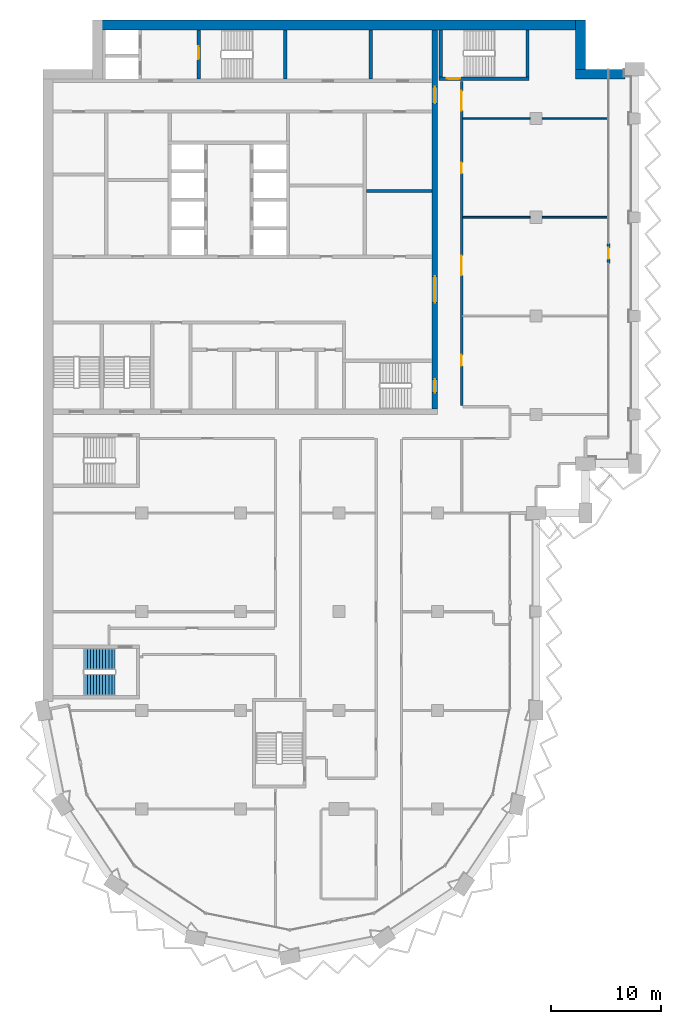
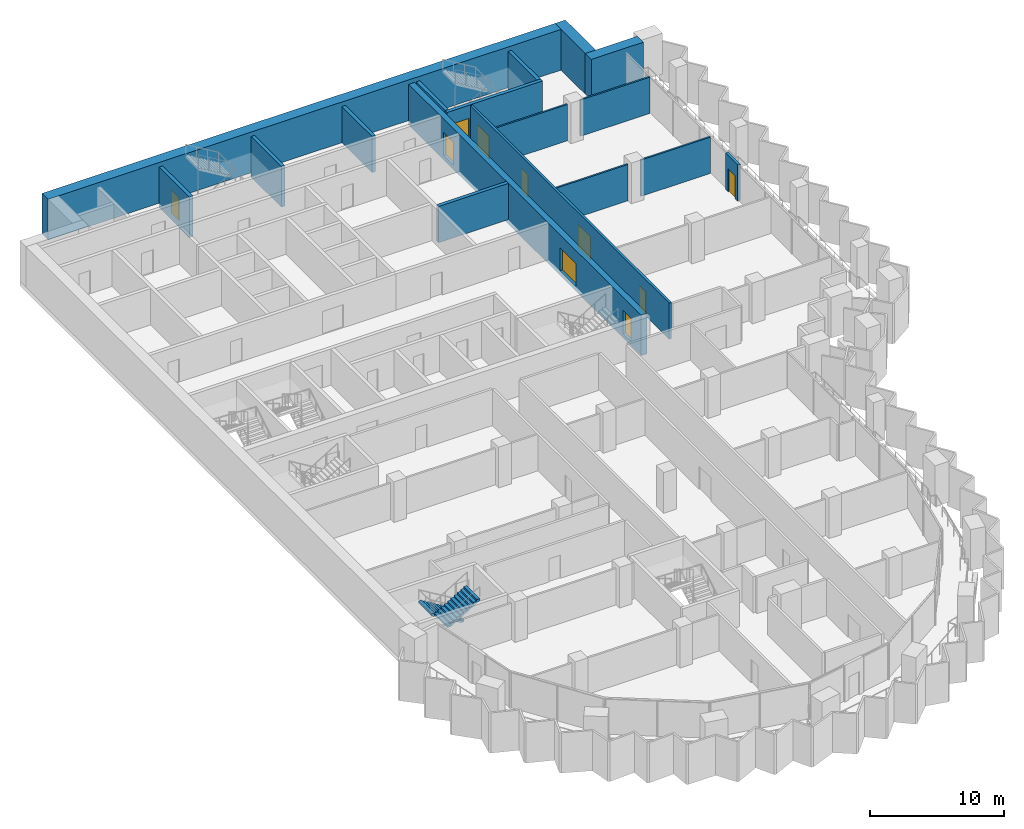
# One storey, part 11 of 17: 17 walls, 10 doors, 2 stair flights, 10 openings, 1 element without a shape of its own.
"""IFC4 building model written with IfcOpenShell, lengths in metres."""

from ifc_helpers import new_model, si_unit, direction, frame, frame_2d, origin, place, context, subcontext, project, spatial, polyline, rectangle, outline, extrude, material, layer, layer_set, type_object, element, fill, aggregate, save


model = new_model("IFC4")

# Units and contexts
model_context = context("Model", 3, precision=1e-05, world=origin(), true_north=direction((0.0, 1.0)))
body_context = subcontext(model_context, "Body", "Model", "MODEL_VIEW")
ifc_project = project(units=[si_unit("LENGTHUNIT", "METRE"), si_unit("AREAUNIT", "SQUARE_METRE"), si_unit("VOLUMEUNIT", "CUBIC_METRE"), si_unit("PLANEANGLEUNIT", "RADIAN"), si_unit("MASSUNIT", "GRAM", prefix="KILO")], contexts=[model_context])

# Site, building, storey
site_placement = place(None, origin())
site = spatial("IfcSite", under=ifc_project, at=site_placement, CompositionType="ELEMENT")
building_placement = place(site_placement, origin())
building = spatial("IfcBuilding", under=site, at=building_placement, Name="Hunhe Ridgeline Campus", CompositionType="ELEMENT")
storey_placement = place(building_placement, frame((0.0, 0.0, 208.699951171875)))
storey = spatial("IfcBuildingStorey", under=building, at=storey_placement, Name="L53", CompositionType="ELEMENT", Elevation=208.699951171875)

# Walls
ifc_material_1 = material(Name="Masonry concrete blockwork", Category="masonry")
ifc_layer_1 = layer(ifc_material_1, 0.300048828125)
ifc_layer_set_1 = layer_set([ifc_layer_1], Name="Core room partition 300 concrete block")
wall_type_1 = type_object("IfcWallType", Name="Core room partition 300 concrete block", PredefinedType="PARTITIONING", material=ifc_layer_set_1)
wall_1_placement = place(storey_placement, frame((29.5, 83.39990234375, 0.0), z_axis=(0.0, 0.0, 1.0), x_axis=(1.0, 0.0, 0.0)))
element("IfcWall", 1, at=wall_1_placement, inside=storey, type_object=wall_type_1, Name="L53 core partition 18", PredefinedType="PARTITIONING", context=body_context, shape_type="SweptSolid", body=[
    extrude(rectangle(XDim=6.0, YDim=0.300048828125, at=frame_2d((3.0, 0.0))), origin(), (0.0, 0.0, 1.0), 3.300048828125),
])
wall_2_placement = place(storey_placement, frame((29.89990234375, 93.60009765625, 0.0), z_axis=(0.0, 0.0, 1.0), x_axis=(0.0, 1.0, 0.0)))
element("IfcWall", 2, at=wall_2_placement, inside=storey, type_object=wall_type_1, Name="L53 core partition 53", PredefinedType="PARTITIONING", context=body_context, shape_type="SweptSolid", body=[
    extrude(rectangle(XDim=4.5, YDim=0.300048828125, at=frame_2d((2.25, 0.0))), origin(), (0.0, 0.0, 1.0), 3.300048828125),
])

# Wall, openings, doors
ifc_material_2 = material(Name="Concrete C60", Category="concrete")
ifc_layer_2 = layer(ifc_material_2, 0.5)
ifc_layer_set_2 = layer_set([ifc_layer_2], Name="Core wall 500 reinforced concrete C60")
wall_type_2 = type_object("IfcWallType", Name="Core wall 500 reinforced concrete C60", PredefinedType="SOLIDWALL", material=ifc_layer_set_2)
wall_3_placement = place(storey_placement, frame((35.75, 63.5, -0.39990234375), z_axis=(0.0, 0.0, 1.0), x_axis=(0.0, 1.0, 0.0)))
wall_3 = element("IfcWall", 3, at=wall_3_placement, inside=storey, type_object=wall_type_2, Name="L53 core wall 54", PredefinedType="SOLIDWALL", context=body_context, shape_type="SweptSolid", body=[
    extrude(rectangle(XDim=34.60009765625, YDim=0.5, at=frame_2d((17.300048828125, 0.0))), origin(), (0.0, 0.0, 1.0), 3.699951171875),
])
opening_1_placement = place(wall_3_placement, frame((9.699951171875, 0.0, 0.39990234375)))
opening_1 = element("IfcOpeningElement", 4, at=opening_1_placement, cuts=wall_3, Name="Opening CD4", PredefinedType="OPENING", context=body_context, shape_type="SweptSolid", body=[
    extrude(rectangle(XDim=2.39990234375, YDim=2.10009765625, at=frame_2d((1.199951171875, 1.050048828125))), frame((0.0, 0.25, 0.0), z_axis=(0.0, -1.0, 0.0), x_axis=(1.0, 0.0, 0.0)), (0.0, 0.0, 1.0), 0.5),
])
opening_2_placement = place(wall_3_placement, frame((27.89990234375, 0.0, 0.39990234375)))
opening_2 = element("IfcOpeningElement", 5, at=opening_2_placement, cuts=wall_3, Name="Opening CD5", PredefinedType="OPENING", context=body_context, shape_type="SweptSolid", body=[
    extrude(rectangle(XDim=1.5, YDim=2.10009765625, at=frame_2d((0.75, 1.050048828125))), frame((0.0, 0.25, 0.0), z_axis=(0.0, -1.0, 0.0), x_axis=(1.0, 0.0, 0.0)), (0.0, 0.0, 1.0), 0.5),
])
opening_3_placement = place(wall_3_placement, frame((1.5, 0.0, 0.39990234375)))
opening_3 = element("IfcOpeningElement", 6, at=opening_3_placement, cuts=wall_3, Name="Opening CD15", PredefinedType="OPENING", context=body_context, shape_type="SweptSolid", body=[
    extrude(rectangle(XDim=1.199951171875, YDim=2.10009765625, at=frame_2d((0.60009765625, 1.050048828125))), frame((0.0, 0.25, 0.0), z_axis=(0.0, -1.0, 0.0), x_axis=(1.0, 0.0, 0.0)), (0.0, 0.0, 1.0), 0.5),
])
ifc_material_3 = material(Name="Anodised aluminium and glass", Category="aluminium")
door_type_1 = type_object("IfcDoorType", Name="Glazed double door 2400x2100", OperationType="DOUBLE_DOOR_SINGLE_SWING", PredefinedType="DOOR", material=ifc_material_3)
door_1_placement = place(opening_1_placement, frame((2.39990234375, 0.0, 0.0), z_axis=(0.0, 0.0, 1.0), x_axis=(-1.0, 0.0, 0.0)))
door_1 = element("IfcDoor", 7, at=door_1_placement, inside=storey, type_object=door_type_1, Name="L53 door HALL-FLOOR", OperationType="DOUBLE_DOOR_SINGLE_SWING", OverallHeight=2.10009765625, OverallWidth=2.39990234375, PredefinedType="DOOR", context=body_context, shape_type="SweptSolid", body=[
    extrude(rectangle(XDim=2.39990234375, YDim=2.10009765625, at=frame_2d((1.199951171875, 1.050048828125))), frame((0.0, 0.02490234375, 0.0), z_axis=(0.0, -1.0, 0.0), x_axis=(1.0, 0.0, 0.0)), (0.0, 0.0, 1.0), 0.050048828125),
])
fill(opening_1, door_1)
ifc_material_4 = material(Name="Hollow metal fire door leaf")
door_type_2 = type_object("IfcDoorType", Name="Stair door 1200x2100 FD60", OperationType="SINGLE_SWING_LEFT", PredefinedType="DOOR", material=ifc_material_4)
door_2_placement = place(opening_3_placement, frame((1.199951171875, 0.0, 0.0), z_axis=(0.0, 0.0, 1.0), x_axis=(-1.0, 0.0, 0.0)))
door_2 = element("IfcDoor", 8, at=door_2_placement, inside=storey, type_object=door_type_2, Name="L53 door S2-FLOOR", OperationType="SINGLE_SWING_LEFT", OverallHeight=2.10009765625, OverallWidth=1.199951171875, PredefinedType="DOOR", context=body_context, shape_type="SweptSolid", body=[
    extrude(rectangle(XDim=1.199951171875, YDim=2.10009765625, at=frame_2d((0.60009765625, 1.050048828125))), frame((0.0, 0.02490234375, 0.0), z_axis=(0.0, -1.0, 0.0), x_axis=(1.0, 0.0, 0.0)), (0.0, 0.0, 1.0), 0.050048828125),
])
fill(opening_3, door_2)
ifc_material_5 = material(Name="Solid core timber door leaf", Category="wood")
door_type_3 = type_object("IfcDoorType", Name="Timber door 1500x2100", OperationType="SINGLE_SWING_LEFT", PredefinedType="DOOR", material=ifc_material_5)
door_3_placement = place(opening_2_placement, frame((1.5, 0.0, 0.0), z_axis=(0.0, 0.0, 1.0), x_axis=(-1.0, 0.0, 0.0)))
door_3 = element("IfcDoor", 9, at=door_3_placement, inside=storey, type_object=door_type_3, Name="L53 door C1-FLOOR", OperationType="SINGLE_SWING_LEFT", OverallHeight=2.10009765625, OverallWidth=1.5, PredefinedType="DOOR", context=body_context, shape_type="SweptSolid", body=[
    extrude(rectangle(XDim=1.5, YDim=2.10009765625, at=frame_2d((0.75, 1.050048828125))), frame((0.0, 0.02490234375, 0.0), z_axis=(0.0, -1.0, 0.0), x_axis=(1.0, 0.0, 0.0)), (0.0, 0.0, 1.0), 0.050048828125),
])
fill(opening_2, door_3)

ifc_material_6 = material(Name="Gypsum board partition")
ifc_layer_3 = layer(ifc_material_6, 0.199951171875)
ifc_layer_set_3 = layer_set([ifc_layer_3], Name="Corridor partition 200 gypsum board on steel studs")
wall_type_3 = type_object("IfcWallType", Name="Corridor partition 200 gypsum board on steel studs", PredefinedType="PARTITIONING", material=ifc_layer_set_3)
wall_4_placement = place(storey_placement, frame((38.199951171875, 93.39599609375, 0.0), z_axis=(0.0, 0.0, 1.0), x_axis=(0.0, -1.0, 0.0)))
wall_4 = element("IfcWall", 10, at=wall_4_placement, inside=storey, type_object=wall_type_3, Name="F-L53-wall-057", PredefinedType="PARTITIONING", context=body_context, shape_type="SweptSolid", body=[
    extrude(rectangle(XDim=29.595947265625, YDim=0.199951171875, at=frame_2d((14.7978515625, 0.0))), origin(), (0.0, 0.0, 1.0), 3.300048828125),
])
opening_4_placement = place(wall_4_placement, frame((24.95751953125, 0.0, 0.0)))
opening_4 = element("IfcOpeningElement", 11, at=opening_4_placement, cuts=wall_4, Name="Opening RD1-017", PredefinedType="OPENING", context=body_context, shape_type="SweptSolid", body=[
    extrude(rectangle(XDim=1.0, YDim=2.10009765625, at=frame_2d((0.5, 1.050048828125))), frame((0.0, 0.10009765625, 0.0), z_axis=(0.0, -1.0, 0.0), x_axis=(1.0, 0.0, 0.0)), (0.0, 0.0, 1.0), 0.199951171875),
])
opening_5_placement = place(wall_4_placement, frame((15.904541015625, 0.0, 0.0)))
opening_5 = element("IfcOpeningElement", 12, at=opening_5_placement, cuts=wall_4, Name="Opening RD2-018", PredefinedType="OPENING", context=body_context, shape_type="SweptSolid", body=[
    extrude(rectangle(XDim=1.800048828125, YDim=2.10009765625, at=frame_2d((0.89990234375, 1.050048828125))), frame((0.0, 0.10009765625, 0.0), z_axis=(0.0, -1.0, 0.0), x_axis=(1.0, 0.0, 0.0)), (0.0, 0.0, 1.0), 0.199951171875),
])
opening_6_placement = place(wall_4_placement, frame((7.400634765625, 0.0, 0.0)))
opening_6 = element("IfcOpeningElement", 13, at=opening_6_placement, cuts=wall_4, Name="Opening RD1-019", PredefinedType="OPENING", context=body_context, shape_type="SweptSolid", body=[
    extrude(rectangle(XDim=1.0, YDim=2.10009765625, at=frame_2d((0.5, 1.050048828125))), frame((0.0, 0.10009765625, 0.0), z_axis=(0.0, -1.0, 0.0), x_axis=(1.0, 0.0, 0.0)), (0.0, 0.0, 1.0), 0.199951171875),
])
opening_7_placement = place(wall_4_placement, frame((0.855712890625, 0.0, 0.0)))
opening_7 = element("IfcOpeningElement", 14, at=opening_7_placement, cuts=wall_4, Name="Opening RD2-020", PredefinedType="OPENING", context=body_context, shape_type="SweptSolid", body=[
    extrude(rectangle(XDim=1.800048828125, YDim=2.10009765625, at=frame_2d((0.89990234375, 1.050048828125))), frame((0.0, 0.10009765625, 0.0), z_axis=(0.0, -1.0, 0.0), x_axis=(1.0, 0.0, 0.0)), (0.0, 0.0, 1.0), 0.199951171875),
])
ifc_material_7 = material(Name="Timber door leaf", Category="wood")
door_type_4 = type_object("IfcDoorType", Name="Double fire door 1800x2100 timber FD60", OperationType="DOUBLE_DOOR_SINGLE_SWING", PredefinedType="DOOR", material=ifc_material_7)
door_4_placement = place(opening_5_placement, origin())
door_4 = element("IfcDoor", 15, at=door_4_placement, inside=storey, type_object=door_type_4, Name="F-L53-door-018", OperationType="DOUBLE_DOOR_SINGLE_SWING", OverallHeight=2.10009765625, OverallWidth=1.800048828125, PredefinedType="DOOR", context=body_context, shape_type="SweptSolid", body=[
    extrude(rectangle(XDim=1.800048828125, YDim=2.10009765625, at=frame_2d((0.89990234375, 1.050048828125))), frame((0.0, 0.02490234375, 0.0), z_axis=(0.0, -1.0, 0.0), x_axis=(1.0, 0.0, 0.0)), (0.0, 0.0, 1.0), 0.050048828125),
])
fill(opening_5, door_4)
door_5_placement = place(opening_7_placement, origin())
door_5 = element("IfcDoor", 16, at=door_5_placement, inside=storey, type_object=door_type_4, Name="F-L53-door-020", OperationType="DOUBLE_DOOR_SINGLE_SWING", OverallHeight=2.10009765625, OverallWidth=1.800048828125, PredefinedType="DOOR", context=body_context, shape_type="SweptSolid", body=[
    extrude(rectangle(XDim=1.800048828125, YDim=2.10009765625, at=frame_2d((0.89990234375, 1.050048828125))), frame((0.0, 0.02490234375, 0.0), z_axis=(0.0, -1.0, 0.0), x_axis=(1.0, 0.0, 0.0)), (0.0, 0.0, 1.0), 0.050048828125),
])
fill(opening_7, door_5)
door_type_5 = type_object("IfcDoorType", Name="Single fire door 1000x2100 timber FD60", OperationType="NOTDEFINED", PredefinedType="DOOR", material=ifc_material_7)
door_6_placement = place(opening_4_placement, origin())
door_6 = element("IfcDoor", 17, at=door_6_placement, inside=storey, type_object=door_type_5, Name="F-L53-door-017", OperationType="SINGLE_SWING_RIGHT", OverallHeight=2.10009765625, OverallWidth=1.0, PredefinedType="DOOR", context=body_context, shape_type="SweptSolid", body=[
    extrude(rectangle(XDim=1.0, YDim=2.10009765625, at=frame_2d((0.5, 1.050048828125))), frame((0.0, 0.02490234375, 0.0), z_axis=(0.0, -1.0, 0.0), x_axis=(1.0, 0.0, 0.0)), (0.0, 0.0, 1.0), 0.050048828125),
])
fill(opening_4, door_6)
door_7_placement = place(opening_6_placement, origin())
door_7 = element("IfcDoor", 18, at=door_7_placement, inside=storey, type_object=door_type_5, Name="F-L53-door-019", OperationType="SINGLE_SWING_LEFT", OverallHeight=2.10009765625, OverallWidth=1.0, PredefinedType="DOOR", context=body_context, shape_type="SweptSolid", body=[
    extrude(rectangle(XDim=1.0, YDim=2.10009765625, at=frame_2d((0.5, 1.050048828125))), frame((0.0, 0.02490234375, 0.0), z_axis=(0.0, -1.0, 0.0), x_axis=(1.0, 0.0, 0.0)), (0.0, 0.0, 1.0), 0.050048828125),
])
fill(opening_6, door_7)

# Wall, opening, door
ifc_material_8 = material(Name="Concrete C30", Category="concrete")
ifc_layer_4 = layer(ifc_material_8, 0.25)
ifc_layer_set_4 = layer_set([ifc_layer_4], Name="Loggia door pier wall 250 Concrete C30")
wall_type_4 = type_object("IfcWallType", Name="Loggia door pier wall 250 Concrete C30", PredefinedType="SOLIDWALL", material=ifc_layer_set_4)
wall_5_placement = place(storey_placement, frame((51.59912109375, 76.800537109375, 0.0), z_axis=(0.0, 0.0, 1.0), x_axis=(0.0, 1.0, 0.0)))
wall_5 = element("IfcWall", 19, at=wall_5_placement, inside=storey, type_object=wall_type_4, Name="Loggia door pier 4", PredefinedType="SOLIDWALL", context=body_context, shape_type="SweptSolid", body=[
    extrude(rectangle(XDim=1.800048828125, YDim=0.25, at=frame_2d((0.89990234375, 0.0))), origin(), (0.0, 0.0, 1.0), 3.300048828125),
])
opening_8_placement = place(wall_5_placement, frame((0.39990234375, 0.0, 0.0)))
opening_8 = element("IfcOpeningElement", 20, at=opening_8_placement, cuts=wall_5, Name="Opening BD406", PredefinedType="OPENING", context=body_context, shape_type="SweptSolid", body=[
    extrude(rectangle(XDim=1.0, YDim=2.10009765625, at=frame_2d((0.5, 1.050048828125))), frame((0.0, 0.125, 0.0), z_axis=(0.0, -1.0, 0.0), x_axis=(1.0, 0.0, 0.0)), (0.0, 0.0, 1.0), 0.25),
])
ifc_material_9 = material(Name="Aluminium 6063", Category="aluminium")
door_type_6 = type_object("IfcDoorType", Name="Loggia glazed door 1000x2100", OperationType="NOTDEFINED", PredefinedType="DOOR", material=ifc_material_9)
door_8_placement = place(opening_8_placement, frame((1.0, 0.0, 0.0), z_axis=(0.0, 0.0, 1.0), x_axis=(-1.0, 0.0, 0.0)))
door_8 = element("IfcDoor", 21, at=door_8_placement, inside=storey, type_object=door_type_6, Name="Loggia door BD406", OperationType="SINGLE_SWING_LEFT", OverallHeight=2.10009765625, OverallWidth=1.0, PredefinedType="DOOR", context=body_context, shape_type="SweptSolid", body=[
    extrude(rectangle(XDim=1.0, YDim=2.10009765625, at=frame_2d((0.5, 1.050048828125))), frame((0.0, 0.02490234375, 0.0), z_axis=(0.0, -1.0, 0.0), x_axis=(1.0, 0.0, 0.0)), (0.0, 0.0, 1.0), 0.050048828125),
])
fill(opening_8, door_8)

# Walls
ifc_layer_5 = layer(ifc_material_6, 0.14990234375)
ifc_layer_set_5 = layer_set([ifc_layer_5], Name="Room partition 150 gypsum board on steel studs")
wall_type_5 = type_object("IfcWallType", Name="Room partition 150 gypsum board on steel studs", PredefinedType="PARTITIONING", material=ifc_layer_set_5)
wall_6_placement = place(storey_placement, frame((38.300048828125, 81.0, 0.0), z_axis=(0.0, 0.0, 1.0), x_axis=(1.0, 0.0, 0.0)))
element("IfcWall", 22, at=wall_6_placement, inside=storey, type_object=wall_type_5, Name="F-L53-wall-041", PredefinedType="PARTITIONING", context=body_context, shape_type="SweptSolid", body=[
    extrude(rectangle(XDim=6.14990234375, YDim=0.14990234375, at=frame_2d((3.074951171875, 0.0))), origin(), (0.0, 0.0, 1.0), 3.300048828125),
])
wall_7_placement = place(storey_placement, frame((45.550048828125, 81.0, 0.0), z_axis=(0.0, 0.0, 1.0), x_axis=(1.0, 0.0, 0.0)))
element("IfcWall", 23, at=wall_7_placement, inside=storey, type_object=wall_type_5, Name="F-L53-wall-042", PredefinedType="PARTITIONING", context=body_context, shape_type="SweptSolid", body=[
    extrude(rectangle(XDim=5.994873046875, YDim=0.14990234375, at=frame_2d((2.99755859375, 0.0))), origin(), (0.0, 0.0, 1.0), 3.300048828125),
])
wall_8_placement = place(storey_placement, frame((38.300048828125, 90.0, 0.0), z_axis=(0.0, 0.0, 1.0), x_axis=(1.0, 0.0, 0.0)))
element("IfcWall", 24, at=wall_8_placement, inside=storey, type_object=wall_type_5, Name="F-L53-wall-043", PredefinedType="PARTITIONING", context=body_context, shape_type="SweptSolid", body=[
    extrude(rectangle(XDim=6.14990234375, YDim=0.14990234375, at=frame_2d((3.074951171875, 0.0))), origin(), (0.0, 0.0, 1.0), 3.300048828125),
])
wall_9_placement = place(storey_placement, frame((45.550048828125, 90.0, 0.0), z_axis=(0.0, 0.0, 1.0), x_axis=(1.0, 0.0, 0.0)))
element("IfcWall", 25, at=wall_9_placement, inside=storey, type_object=wall_type_5, Name="F-L53-wall-044", PredefinedType="PARTITIONING", context=body_context, shape_type="SweptSolid", body=[
    extrude(rectangle(XDim=5.994873046875, YDim=0.14990234375, at=frame_2d((2.99755859375, 0.0))), origin(), (0.0, 0.0, 1.0), 3.300048828125),
])
ifc_layer_6 = layer(ifc_material_2, 0.89990234375)
ifc_layer_set_6 = layer_set([ifc_layer_6], Name="Spine wall 900 Concrete C60")
wall_type_6 = type_object("IfcWallType", Name="Spine wall 900 Concrete C60", PredefinedType="SHEAR", material=ifc_layer_set_6)
wall_10_placement = place(storey_placement, frame((53.10009765625, 94.050048828125, 0.0), z_axis=(0.0, 0.0, 1.0), x_axis=(-1.0, 0.0, 0.0)))
element("IfcWall", 26, at=wall_10_placement, inside=storey, type_object=wall_type_6, Name="Spine wall SW3-2 L53", PredefinedType="SHEAR", context=body_context, shape_type="SweptSolid", body=[
    extrude(rectangle(XDim=4.5, YDim=0.89990234375, at=frame_2d((2.25, 0.0))), origin(), (0.0, 0.0, 1.0), 3.699951171875),
])
wall_11_placement = place(storey_placement, frame((49.050048828125, 93.60009765625, 0.0), z_axis=(0.0, 0.0, 1.0), x_axis=(0.0, 1.0, 0.0)))
element("IfcWall", 27, at=wall_11_placement, inside=storey, type_object=wall_type_6, Name="Spine wall SW3-3 L53", PredefinedType="SHEAR", context=body_context, shape_type="SweptSolid", body=[
    extrude(rectangle(XDim=5.39990234375, YDim=0.89990234375, at=frame_2d((2.699951171875, 0.0))), origin(), (0.0, 0.0, 1.0), 3.699951171875),
])
wall_12_placement = place(storey_placement, frame((49.5, 98.550048828125, 0.0), z_axis=(0.0, 0.0, 1.0), x_axis=(-1.0, 0.0, 0.0)))
element("IfcWall", 28, at=wall_12_placement, inside=storey, type_object=wall_type_6, Name="Spine wall SW3-4 L53", PredefinedType="SHEAR", context=body_context, shape_type="SweptSolid", body=[
    extrude(rectangle(XDim=45.0, YDim=0.89990234375, at=frame_2d((22.5, 0.0))), origin(), (0.0, 0.0, 1.0), 3.699951171875),
])

# Wall, opening, door
ifc_layer_7 = layer(ifc_material_2, 0.300048828125)
ifc_layer_set_7 = layer_set([ifc_layer_7], Name="Stair wall 300 reinforced concrete C60")
wall_type_7 = type_object("IfcWallType", Name="Stair wall 300 reinforced concrete C60", PredefinedType="SOLIDWALL", material=ifc_layer_set_7)
wall_13_placement = place(storey_placement, frame((36.14990234375, 93.64990234375, -0.39990234375), z_axis=(0.0, 0.0, 1.0), x_axis=(1.0, 0.0, 0.0)))
wall_13 = element("IfcWall", 29, at=wall_13_placement, inside=storey, type_object=wall_type_7, Name="L53 core wall 27", PredefinedType="SOLIDWALL", context=body_context, shape_type="SweptSolid", body=[
    extrude(rectangle(XDim=8.2001953125, YDim=0.300048828125, at=frame_2d((4.10009765625, 0.0))), origin(), (0.0, 0.0, 1.0), 3.699951171875),
])
opening_9_placement = place(wall_13_placement, frame((0.699951171875, 0.0, 0.39990234375)))
opening_9 = element("IfcOpeningElement", 30, at=opening_9_placement, cuts=wall_13, Name="Opening CD17", PredefinedType="OPENING", context=body_context, shape_type="SweptSolid", body=[
    extrude(rectangle(XDim=1.199951171875, YDim=2.10009765625, at=frame_2d((0.60009765625, 1.050048828125))), frame((0.0, 0.14990234375, 0.0), z_axis=(0.0, -1.0, 0.0), x_axis=(1.0, 0.0, 0.0)), (0.0, 0.0, 1.0), 0.300048828125),
])
door_9_placement = place(opening_9_placement, frame((1.199951171875, 0.0, 0.0), z_axis=(0.0, 0.0, 1.0), x_axis=(-1.0, 0.0, 0.0)))
door_9 = element("IfcDoor", 31, at=door_9_placement, inside=storey, type_object=door_type_2, Name="L53 door E1", OperationType="SINGLE_SWING_LEFT", OverallHeight=2.10009765625, OverallWidth=1.199951171875, PredefinedType="DOOR", context=body_context, shape_type="SweptSolid", body=[
    extrude(rectangle(XDim=1.199951171875, YDim=2.10009765625, at=frame_2d((0.60009765625, 1.050048828125))), frame((0.0, 0.02490234375, 0.0), z_axis=(0.0, -1.0, 0.0), x_axis=(1.0, 0.0, 0.0)), (0.0, 0.0, 1.0), 0.050048828125),
])
fill(opening_9, door_9)

wall_14_placement = place(storey_placement, frame((14.199951171875, 93.60009765625, -0.39990234375), z_axis=(0.0, 0.0, 1.0), x_axis=(0.0, 1.0, 0.0)))
wall_14 = element("IfcWall", 32, at=wall_14_placement, inside=storey, type_object=wall_type_7, Name="L53 core wall 39", PredefinedType="SOLIDWALL", context=body_context, shape_type="SweptSolid", body=[
    extrude(rectangle(XDim=4.5, YDim=0.300048828125, at=frame_2d((2.25, 0.0))), origin(), (0.0, 0.0, 1.0), 3.699951171875),
])
opening_10_placement = place(wall_14_placement, frame((1.800048828125, 0.0, 0.39990234375)))
opening_10 = element("IfcOpeningElement", 33, at=opening_10_placement, cuts=wall_14, Name="Opening CD16", PredefinedType="OPENING", context=body_context, shape_type="SweptSolid", body=[
    extrude(rectangle(XDim=1.199951171875, YDim=2.10009765625, at=frame_2d((0.60009765625, 1.050048828125))), frame((0.0, 0.14990234375, 0.0), z_axis=(0.0, -1.0, 0.0), x_axis=(1.0, 0.0, 0.0)), (0.0, 0.0, 1.0), 0.300048828125),
])
door_10_placement = place(opening_10_placement, origin())
door_10 = element("IfcDoor", 34, at=door_10_placement, inside=storey, type_object=door_type_2, Name="L53 door S1-FF", OperationType="SINGLE_SWING_RIGHT", OverallHeight=2.10009765625, OverallWidth=1.199951171875, PredefinedType="DOOR", context=body_context, shape_type="SweptSolid", body=[
    extrude(rectangle(XDim=1.199951171875, YDim=2.10009765625, at=frame_2d((0.60009765625, 1.050048828125))), frame((0.0, 0.02490234375, 0.0), z_axis=(0.0, -1.0, 0.0), x_axis=(1.0, 0.0, 0.0)), (0.0, 0.0, 1.0), 0.050048828125),
])
fill(opening_10, door_10)

# Walls
wall_15_placement = place(storey_placement, frame((22.10009765625, 93.60009765625, -0.39990234375), z_axis=(0.0, 0.0, 1.0), x_axis=(0.0, 1.0, 0.0)))
element("IfcWall", 35, at=wall_15_placement, inside=storey, type_object=wall_type_7, Name="L53 core wall 45", PredefinedType="SOLIDWALL", context=body_context, shape_type="SweptSolid", body=[
    extrude(rectangle(XDim=4.5, YDim=0.300048828125, at=frame_2d((2.25, 0.0))), origin(), (0.0, 0.0, 1.0), 3.699951171875),
])
for number, where, z_axis, x_axis, name in (
    (36, (36.300048828125, 93.800048828125, -0.39990234375), (0.0, 0.0, 1.0), (0.0, 1.0, 0.0), "L53 core wall 55"),
    (37, (44.199951171875, 93.800048828125, -0.39990234375), (0.0, 0.0, 1.0), (0.0, 1.0, 0.0), "L53 core wall 56"),
):
    element("IfcWall", number, at=place(storey_placement, frame(where, z_axis=z_axis, x_axis=x_axis)), inside=storey, type_object=wall_type_7, Name=name, PredefinedType="SOLIDWALL", context=body_context, shape_type="SweptSolid", body=[
        extrude(rectangle(XDim=4.300048828125, YDim=0.300048828125, at=frame_2d((2.14990234375, 0.0))), origin(), (0.0, 0.0, 1.0), 3.699951171875),
    ])

# Stair, stair flights
ifc_material_10 = material(Name="Concrete C40", Category="concrete")
stair_type = type_object("IfcStairType", Name="Reinforced concrete dog-leg stair 1950 Concrete C40", PredefinedType="HALF_TURN_STAIR", material=ifc_material_10)
stair_placement = place(storey_placement, origin())
stair = element("IfcStair", 38, at=stair_placement, inside=storey, type_object=stair_type, Name="L53 W1", PredefinedType="HALF_TURN_STAIR")
stair_flight_type = type_object("IfcStairFlightType", Name="Reinforced concrete stair flight 1950 Concrete C40", PredefinedType="STRAIGHT", material=ifc_material_10)
stair_flight_1_placement = place(storey_placement, frame((6.550048828125, 40.675048828125, 0.0), z_axis=(0.0, 0.0, 1.0), x_axis=(-1.0, 0.0, 0.0)))
stair_flight_1 = element("IfcStairFlight", 39, at=stair_flight_1_placement, type_object=stair_flight_type, Name="ST11 flight 1", NumberOfRisers=11, NumberOfTreads=10, PredefinedType="STRAIGHT", RiserHeight=0.168181818, TreadLength=0.28, context=body_context, shape_type="SweptSolid", body=[
    extrude(outline(polyline([(0.0, 0.0), (0.0, 0.168212890625), (0.280029296875, 0.168212890625), (0.280029296875, 0.33642578125), (0.56005859375, 0.33642578125), (0.56005859375, 0.504638671875), (0.840087890625, 0.504638671875), (0.840087890625, 0.672607421875), (1.1201171875, 0.672607421875), (1.1201171875, 0.8408203125), (1.39990234375, 0.8408203125), (1.39990234375, 1.009033203125), (1.679931640625, 1.009033203125), (1.679931640625, 1.17724609375), (1.9599609375, 1.17724609375), (1.9599609375, 1.345458984375), (2.239990234375, 1.345458984375), (2.239990234375, 1.513671875), (2.52001953125, 1.513671875), (2.52001953125, 1.681884765625), (2.800048828125, 1.681884765625), (2.800048828125, 1.85009765625), (2.800048828125, 1.5068359375), (0.291015625, 0.0), (0.0, 0.0)])), frame((0.0, 0.97509765625, 0.0), z_axis=(0.0, -1.0, 0.0), x_axis=(1.0, 0.0, 0.0)), (0.0, 0.0, 1.0), 1.949951171875),
    extrude(outline(polyline([(0.030029296875, 0.030029296875), (0.030029296875, 0.13818359375), (0.31005859375, 0.13818359375), (0.31005859375, 0.306396484375), (0.590087890625, 0.306396484375), (0.590087890625, 0.474609375), (0.8701171875, 0.474609375), (0.8701171875, 0.642578125), (1.14990234375, 0.642578125), (1.14990234375, 0.810791015625), (1.429931640625, 0.810791015625), (1.429931640625, 0.97900390625), (1.7099609375, 0.97900390625), (1.7099609375, 1.147216796875), (1.989990234375, 1.147216796875), (1.989990234375, 1.3154296875), (2.27001953125, 1.3154296875), (2.27001953125, 1.483642578125), (2.550048828125, 1.483642578125), (2.550048828125, 1.65185546875), (2.77001953125, 1.65185546875), (2.77001953125, 1.52392578125), (0.28271484375, 0.030029296875), (0.030029296875, 0.030029296875)])), frame((0.0, -0.070068359375, 0.0), z_axis=(0.0, -1.0, 0.0), x_axis=(1.0, 0.0, 0.0)), (0.0, 0.0, 1.0), 0.019775390625),
    extrude(outline(polyline([(0.030029296875, 0.030029296875), (0.030029296875, 0.13818359375), (0.31005859375, 0.13818359375), (0.31005859375, 0.306396484375), (0.590087890625, 0.306396484375), (0.590087890625, 0.474609375), (0.8701171875, 0.474609375), (0.8701171875, 0.642578125), (1.14990234375, 0.642578125), (1.14990234375, 0.810791015625), (1.429931640625, 0.810791015625), (1.429931640625, 0.97900390625), (1.7099609375, 0.97900390625), (1.7099609375, 1.147216796875), (1.989990234375, 1.147216796875), (1.989990234375, 1.3154296875), (2.27001953125, 1.3154296875), (2.27001953125, 1.483642578125), (2.550048828125, 1.483642578125), (2.550048828125, 1.65185546875), (2.77001953125, 1.65185546875), (2.77001953125, 1.52392578125), (0.28271484375, 0.030029296875), (0.030029296875, 0.030029296875)])), frame((0.0, 0.010009765625, 0.0), z_axis=(0.0, -1.0, 0.0), x_axis=(1.0, 0.0, 0.0)), (0.0, 0.0, 1.0), 0.019775390625),
    extrude(outline(polyline([(0.030029296875, 0.030029296875), (0.030029296875, 0.13818359375), (0.31005859375, 0.13818359375), (0.31005859375, 0.306396484375), (0.590087890625, 0.306396484375), (0.590087890625, 0.474609375), (0.8701171875, 0.474609375), (0.8701171875, 0.642578125), (1.14990234375, 0.642578125), (1.14990234375, 0.810791015625), (1.429931640625, 0.810791015625), (1.429931640625, 0.97900390625), (1.7099609375, 0.97900390625), (1.7099609375, 1.147216796875), (1.989990234375, 1.147216796875), (1.989990234375, 1.3154296875), (2.27001953125, 1.3154296875), (2.27001953125, 1.483642578125), (2.550048828125, 1.483642578125), (2.550048828125, 1.65185546875), (2.77001953125, 1.65185546875), (2.77001953125, 1.52392578125), (0.28271484375, 0.030029296875), (0.030029296875, 0.030029296875)])), frame((0.0, 0.090087890625, 0.0), z_axis=(0.0, -1.0, 0.0), x_axis=(1.0, 0.0, 0.0)), (0.0, 0.0, 1.0), 0.019775390625),
])
stair_flight_2_placement = place(storey_placement, frame((3.75, 38.324951171875, 1.85009765625), z_axis=(0.0, 0.0, 1.0), x_axis=(1.0, 0.0, 0.0)))
stair_flight_2 = element("IfcStairFlight", 40, at=stair_flight_2_placement, type_object=stair_flight_type, Name="ST11 flight 2", NumberOfRisers=11, NumberOfTreads=10, PredefinedType="STRAIGHT", RiserHeight=0.168181818, TreadLength=0.28, context=body_context, shape_type="SweptSolid", body=[
    extrude(outline(polyline([(0.0, 0.0), (0.0, 0.168212890625), (0.280029296875, 0.168212890625), (0.280029296875, 0.33642578125), (0.56005859375, 0.33642578125), (0.56005859375, 0.504638671875), (0.840087890625, 0.504638671875), (0.840087890625, 0.672607421875), (1.1201171875, 0.672607421875), (1.1201171875, 0.8408203125), (1.39990234375, 0.8408203125), (1.39990234375, 1.009033203125), (1.679931640625, 1.009033203125), (1.679931640625, 1.17724609375), (1.9599609375, 1.17724609375), (1.9599609375, 1.345458984375), (2.239990234375, 1.345458984375), (2.239990234375, 1.513671875), (2.52001953125, 1.513671875), (2.52001953125, 1.681884765625), (2.800048828125, 1.681884765625), (2.800048828125, 1.85009765625), (2.800048828125, 1.5068359375), (0.291015625, 0.0), (0.0, 0.0)])), frame((0.0, 0.97509765625, 0.0), z_axis=(0.0, -1.0, 0.0), x_axis=(1.0, 0.0, 0.0)), (0.0, 0.0, 1.0), 1.949951171875),
    extrude(outline(polyline([(0.030029296875, 0.030029296875), (0.030029296875, 0.13818359375), (0.31005859375, 0.13818359375), (0.31005859375, 0.306396484375), (0.590087890625, 0.306396484375), (0.590087890625, 0.474609375), (0.8701171875, 0.474609375), (0.8701171875, 0.642578125), (1.14990234375, 0.642578125), (1.14990234375, 0.810791015625), (1.429931640625, 0.810791015625), (1.429931640625, 0.97900390625), (1.7099609375, 0.97900390625), (1.7099609375, 1.147216796875), (1.989990234375, 1.147216796875), (1.989990234375, 1.3154296875), (2.27001953125, 1.3154296875), (2.27001953125, 1.483642578125), (2.550048828125, 1.483642578125), (2.550048828125, 1.65185546875), (2.77001953125, 1.65185546875), (2.77001953125, 1.52392578125), (0.28271484375, 0.030029296875), (0.030029296875, 0.030029296875)])), frame((0.0, -0.070068359375, 0.0), z_axis=(0.0, -1.0, 0.0), x_axis=(1.0, 0.0, 0.0)), (0.0, 0.0, 1.0), 0.019775390625),
    extrude(outline(polyline([(0.030029296875, 0.030029296875), (0.030029296875, 0.13818359375), (0.31005859375, 0.13818359375), (0.31005859375, 0.306396484375), (0.590087890625, 0.306396484375), (0.590087890625, 0.474609375), (0.8701171875, 0.474609375), (0.8701171875, 0.642578125), (1.14990234375, 0.642578125), (1.14990234375, 0.810791015625), (1.429931640625, 0.810791015625), (1.429931640625, 0.97900390625), (1.7099609375, 0.97900390625), (1.7099609375, 1.147216796875), (1.989990234375, 1.147216796875), (1.989990234375, 1.3154296875), (2.27001953125, 1.3154296875), (2.27001953125, 1.483642578125), (2.550048828125, 1.483642578125), (2.550048828125, 1.65185546875), (2.77001953125, 1.65185546875), (2.77001953125, 1.52392578125), (0.28271484375, 0.030029296875), (0.030029296875, 0.030029296875)])), frame((0.0, 0.010009765625, 0.0), z_axis=(0.0, -1.0, 0.0), x_axis=(1.0, 0.0, 0.0)), (0.0, 0.0, 1.0), 0.019775390625),
    extrude(outline(polyline([(0.030029296875, 0.030029296875), (0.030029296875, 0.13818359375), (0.31005859375, 0.13818359375), (0.31005859375, 0.306396484375), (0.590087890625, 0.306396484375), (0.590087890625, 0.474609375), (0.8701171875, 0.474609375), (0.8701171875, 0.642578125), (1.14990234375, 0.642578125), (1.14990234375, 0.810791015625), (1.429931640625, 0.810791015625), (1.429931640625, 0.97900390625), (1.7099609375, 0.97900390625), (1.7099609375, 1.147216796875), (1.989990234375, 1.147216796875), (1.989990234375, 1.3154296875), (2.27001953125, 1.3154296875), (2.27001953125, 1.483642578125), (2.550048828125, 1.483642578125), (2.550048828125, 1.65185546875), (2.77001953125, 1.65185546875), (2.77001953125, 1.52392578125), (0.28271484375, 0.030029296875), (0.030029296875, 0.030029296875)])), frame((0.0, 0.090087890625, 0.0), z_axis=(0.0, -1.0, 0.0), x_axis=(1.0, 0.0, 0.0)), (0.0, 0.0, 1.0), 0.019775390625),
])
aggregate(stair, [stair_flight_1, stair_flight_2])

save(model, "model.ifc")
